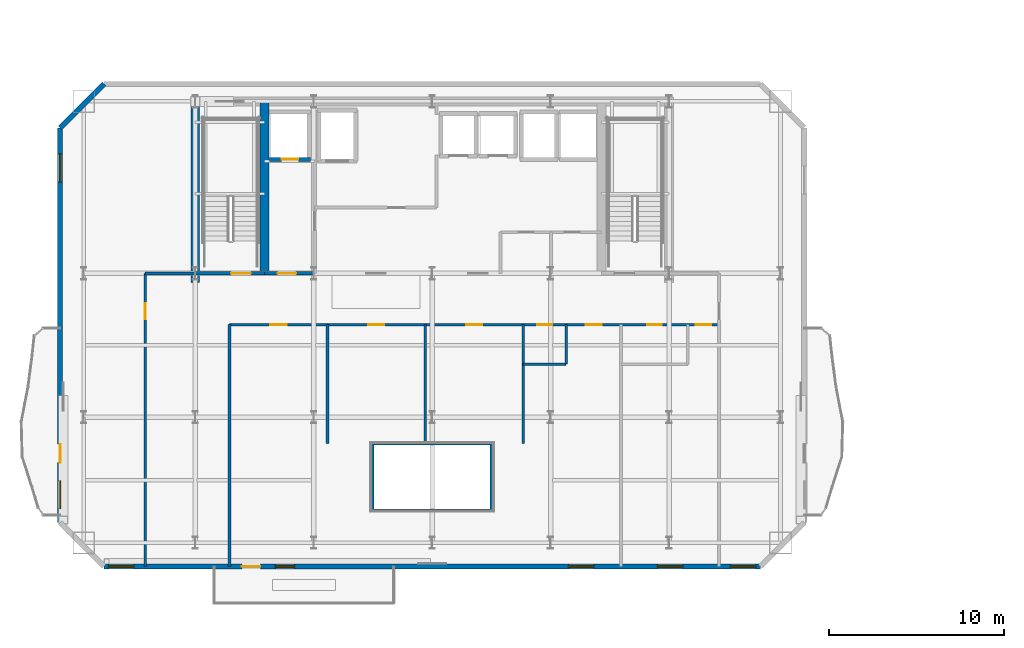
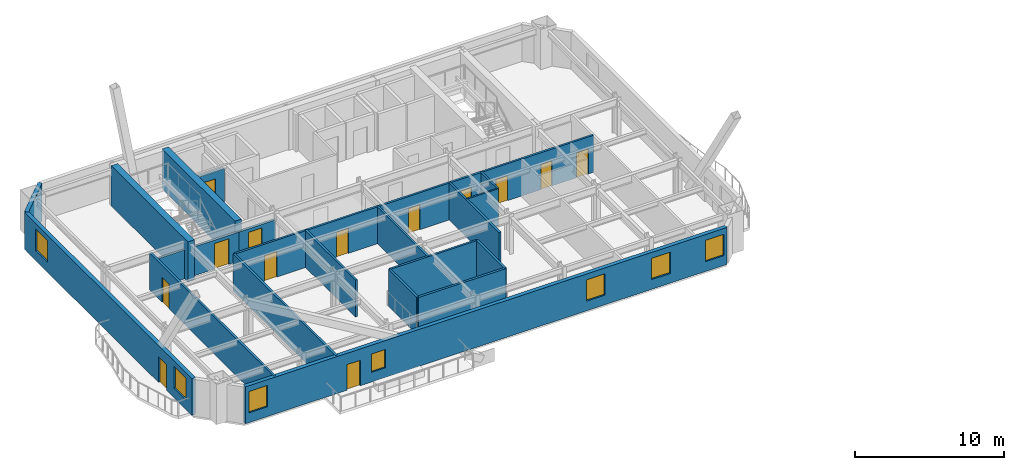
# One storey, part 5 of 13: 21 walls, 13 doors, 7 windows, 20 openings.
"""IFC4 building model written with IfcOpenShell, lengths in metres."""

from ifc_helpers import new_model, si_unit, direction, frame, frame_2d, origin, place, context, subcontext, project, spatial, rectangle, extrude, material, layer, layer_set, type_object, element, fill, save


model = new_model("IFC4")

# Units and contexts
model_context = context("Model", 3, precision=1e-05, world=origin(), true_north=direction((0.0, 1.0)))
body_context = subcontext(model_context, "Body", "Model", "MODEL_VIEW")
ifc_project = project(units=[si_unit("LENGTHUNIT", "METRE"), si_unit("AREAUNIT", "SQUARE_METRE"), si_unit("VOLUMEUNIT", "CUBIC_METRE"), si_unit("PLANEANGLEUNIT", "RADIAN"), si_unit("MASSUNIT", "GRAM", prefix="KILO")], contexts=[model_context])

# Site, building, storey
site_placement = place(None, origin())
site = spatial("IfcSite", under=ifc_project, at=site_placement, CompositionType="ELEMENT")
building_placement = place(site_placement, origin())
building = spatial("IfcBuilding", under=site, at=building_placement, Name="Haevon Station Towers", CompositionType="ELEMENT")
storey_placement = place(building_placement, frame((0.0, 0.0, 146.10009765625)))
storey = spatial("IfcBuildingStorey", under=building, at=storey_placement, Name="L39", CompositionType="ELEMENT", Elevation=146.10009765625)

# Walls
ifc_material_1 = material(Name="Gypsum board on steel stud", Category="steel")
ifc_layer_1 = layer(ifc_material_1, 0.179931640625)
ifc_layer_set_1 = layer_set([ifc_layer_1], Name="Gypsum board on steel stud")
wall_type_1 = type_object("IfcWallType", Name="WL-ACU180", PredefinedType="PARTITIONING", material=ifc_layer_set_1)
wall_1_placement = place(storey_placement, frame((34.10009765625, 24.699951171875, 0.0), z_axis=(0.0, 0.0, 1.0), x_axis=(1.0, 0.0, 0.0)))
element("IfcWall", 1, at=wall_1_placement, inside=storey, type_object=wall_type_1, Name="WL-T1PT-L39-06", PredefinedType="PARTITIONING", context=body_context, shape_type="SweptSolid", body=[
    extrude(rectangle(XDim=6.7998046875, YDim=0.179931640625, at=frame_2d((3.39990234375, 0.0))), origin(), (0.0, 0.0, 1.0), 3.02978515625),
])
wall_2_placement = place(storey_placement, frame((40.89990234375, 24.699951171875, 0.0), z_axis=(0.0, 0.0, 1.0), x_axis=(0.0, 1.0, 0.0)))
element("IfcWall", 2, at=wall_2_placement, inside=storey, type_object=wall_type_1, Name="WL-T1PT-L39-09", PredefinedType="PARTITIONING", context=body_context, shape_type="SweptSolid", body=[
    extrude(rectangle(XDim=3.800048828125, YDim=0.179931640625, at=frame_2d((1.89990234375, 0.0))), origin(), (0.0, 0.0, 1.0), 3.02978515625),
])

# Wall, opening, door
ifc_layer_2 = layer(ifc_material_1, 0.199951171875)
ifc_layer_set_2 = layer_set([ifc_layer_2], Name="Gypsum board on steel stud")
wall_type_2 = type_object("IfcWallType", Name="WL-COR200", PredefinedType="PARTITIONING", material=ifc_layer_set_2)
wall_3_placement = place(storey_placement, frame((24.0, 38.199951171875, 0.0), z_axis=(0.0, 0.0, 1.0), x_axis=(1.0, 0.0, 0.0)))
wall_3 = element("IfcWall", 3, at=wall_3_placement, inside=storey, type_object=wall_type_2, Name="WL-ST-ST1-L39", PredefinedType="PARTITIONING", context=body_context, shape_type="SweptSolid", body=[
    extrude(rectangle(XDim=3.949951171875, YDim=0.199951171875, at=frame_2d((1.97509765625, 0.0))), origin(), (0.0, 0.0, 1.0), 2.3798828125),
])
opening_1_placement = place(wall_3_placement, frame((2.050048828125, 0.0, 0.0)))
opening_1 = element("IfcOpeningElement", 4, at=opening_1_placement, cuts=wall_3, Name="Opening DR-ST-ST1-L39", PredefinedType="OPENING", context=body_context, shape_type="SweptSolid", body=[
    extrude(rectangle(XDim=1.1201171875, YDim=2.10009765625, at=frame_2d((0.56005859375, 1.050048828125))), frame((0.0, 0.10986328125, 0.0), z_axis=(0.0, -1.0, 0.0), x_axis=(1.0, 0.0, 0.0)), (0.0, 0.0, 1.0), 0.219970703125),
])
ifc_material_2 = material(Name="Engineered oak timber", Category="wood")
door_type_1 = type_object("IfcDoorType", Name="DR-ST-1120", OperationType="NOTDEFINED", PredefinedType="DOOR", material=ifc_material_2)
door_1_placement = place(opening_1_placement, origin())
door_1 = element("IfcDoor", 5, at=door_1_placement, inside=storey, type_object=door_type_1, Name="L39 Escape Stair ST1 Fire Door", OperationType="SINGLE_SWING_RIGHT", OverallHeight=2.10009765625, OverallWidth=1.1201171875, PredefinedType="DOOR", context=body_context, shape_type="SweptSolid", body=[
    extrude(rectangle(XDim=1.1201171875, YDim=2.10009765625, at=frame_2d((0.56005859375, 1.050048828125))), frame((0.0, 0.02490234375, 0.0), z_axis=(0.0, -1.0, 0.0), x_axis=(1.0, 0.0, 0.0)), (0.0, 0.0, 1.0), 0.050048828125),
])
fill(opening_1, door_1)

wall_4_placement = place(storey_placement, frame((27.949951171875, 38.199951171875, 0.0), z_axis=(0.0, 0.0, 1.0), x_axis=(1.0, 0.0, 0.0)))
wall_4 = element("IfcWall", 6, at=wall_4_placement, inside=storey, type_object=wall_type_2, Name="WL-T1FFL-L39-S", PredefinedType="PARTITIONING", context=body_context, shape_type="SweptSolid", body=[
    extrude(rectangle(XDim=2.85009765625, YDim=0.199951171875, at=frame_2d((1.425048828125, 0.0))), origin(), (0.0, 0.0, 1.0), 2.3798828125),
])
opening_2_placement = place(wall_4_placement, frame((0.75, 0.0, 0.0)))
opening_2 = element("IfcOpeningElement", 7, at=opening_2_placement, cuts=wall_4, Name="Opening DR-T1FFL-L39-S", PredefinedType="OPENING", context=body_context, shape_type="SweptSolid", body=[
    extrude(rectangle(XDim=1.050048828125, YDim=2.10009765625, at=frame_2d((0.52490234375, 1.050048828125))), frame((0.0, 0.10986328125, 0.0), z_axis=(0.0, -1.0, 0.0), x_axis=(1.0, 0.0, 0.0)), (0.0, 0.0, 1.0), 0.219970703125),
])
door_type_2 = type_object("IfcDoorType", Name="DR-FD60-1050", OperationType="NOTDEFINED", PredefinedType="DOOR", material=ifc_material_2)
door_2_placement = place(opening_2_placement, origin())
door_2 = element("IfcDoor", 8, at=door_2_placement, inside=storey, type_object=door_type_2, Name="L39 Tower 1 Firefighting Lift Lobby Door S", OperationType="SINGLE_SWING_LEFT", OverallHeight=2.10009765625, OverallWidth=1.050048828125, PredefinedType="DOOR", context=body_context, shape_type="SweptSolid", body=[
    extrude(rectangle(XDim=1.050048828125, YDim=2.10009765625, at=frame_2d((0.52490234375, 1.050048828125))), frame((0.0, 0.02490234375, 0.0), z_axis=(0.0, -1.0, 0.0), x_axis=(1.0, 0.0, 0.0)), (0.0, 0.0, 1.0), 0.050048828125),
])
fill(opening_2, door_2)

# Walls
ifc_material_3 = material(Name="Concrete C60/75", Category="concrete")
ifc_layer_3 = layer(ifc_material_3, 0.5)
ifc_layer_set_3 = layer_set([ifc_layer_3], Name="Concrete C60/75")
wall_type_3 = type_object("IfcWallType", Name="WL-CR500", PredefinedType="SHEAR", material=ifc_layer_set_3)
wall_5_placement = place(storey_placement, frame((24.0, 37.679931640625, 0.0), z_axis=(0.0, 0.0, 1.0), x_axis=(0.0, 1.0, 0.0)))
element("IfcWall", 9, at=wall_5_placement, inside=storey, type_object=wall_type_3, Name="WL-T1CR-L39-W", PredefinedType="SHEAR", context=body_context, shape_type="SweptSolid", body=[
    extrude(rectangle(XDim=10.320068359375, YDim=0.5, at=frame_2d((5.16015625, 0.0))), origin(), (0.0, 0.0, 1.0), 3.2998046875),
])
wall_6_placement = place(storey_placement, frame((27.949951171875, 38.199951171875, 0.0), z_axis=(0.0, 0.0, 1.0), x_axis=(0.0, 1.0, 0.0)))
element("IfcWall", 10, at=wall_6_placement, inside=storey, type_object=wall_type_3, Name="WL-T1CR-L39-M1", PredefinedType="SHEAR", context=body_context, shape_type="SweptSolid", body=[
    extrude(rectangle(XDim=9.800048828125, YDim=0.5, at=frame_2d((4.89990234375, 0.0))), origin(), (0.0, 0.0, 1.0), 3.2998046875),
])

# Wall, openings, door, windows
ifc_material_4 = material(Name="Precast concrete C45/55", Category="concrete")
ifc_layer_4 = layer(ifc_material_4, 0.300048828125)
ifc_layer_set_4 = layer_set([ifc_layer_4], Name="Precast concrete C45/55")
wall_type_4 = type_object("IfcWallType", Name="WL-EXT-PIER300", PredefinedType="SOLIDWALL", material=ifc_layer_set_4)
wall_7_placement = place(storey_placement, frame((56.199951171875, 21.5, 0.0), z_axis=(0.0, 0.0, 1.0), x_axis=(-1.0, 0.0, 0.0)))
wall_7 = element("IfcWall", 11, at=wall_7_placement, inside=storey, type_object=wall_type_4, Name="WL-T1-L39-S", PredefinedType="SOLIDWALL", context=body_context, shape_type="SweptSolid", body=[
    extrude(rectangle(XDim=37.39990234375, YDim=0.300048828125, at=frame_2d((18.699951171875, 0.0))), origin(), (0.0, 0.0, 1.0), 3.02978515625),
])
opening_3_placement = place(wall_7_placement, frame((28.493896484375, 0.0, 0.0)))
opening_3 = element("IfcOpeningElement", 12, at=opening_3_placement, cuts=wall_7, Name="Opening DR-T1-PBAND-L39-1", PredefinedType="OPENING", context=body_context, shape_type="SweptSolid", body=[
    extrude(rectangle(XDim=1.050048828125, YDim=2.10009765625, at=frame_2d((0.52490234375, 1.050048828125))), frame((0.0, 0.159912109375, 0.0), z_axis=(0.0, -1.0, 0.0), x_axis=(1.0, 0.0, 0.0)), (0.0, 0.0, 1.0), 0.320068359375),
])
opening_4_placement = place(wall_7_placement, frame((35.699951171875, 0.0, 0.800048828125)))
opening_4 = element("IfcOpeningElement", 13, at=opening_4_placement, cuts=wall_7, Name="Opening WN-P145", PredefinedType="OPENING", context=body_context, shape_type="SweptSolid", body=[
    extrude(rectangle(XDim=1.449951171875, YDim=1.75, at=frame_2d((0.72509765625, 0.875))), frame((0.0, 0.159912109375, 0.0), z_axis=(0.0, -1.0, 0.0), x_axis=(1.0, 0.0, 0.0)), (0.0, 0.0, 1.0), 0.320068359375),
])
opening_5_placement = place(wall_7_placement, frame((0.25, 0.0, 0.800048828125)))
opening_5 = element("IfcOpeningElement", 14, at=opening_5_placement, cuts=wall_7, Name="Opening WN-P145", PredefinedType="OPENING", context=body_context, shape_type="SweptSolid", body=[
    extrude(rectangle(XDim=1.449951171875, YDim=1.75, at=frame_2d((0.72509765625, 0.875))), frame((0.0, 0.159912109375, 0.0), z_axis=(0.0, -1.0, 0.0), x_axis=(1.0, 0.0, 0.0)), (0.0, 0.0, 1.0), 0.320068359375),
])
opening_6_placement = place(wall_7_placement, frame((26.5380859375, 0.0, 0.800048828125)))
opening_6 = element("IfcOpeningElement", 15, at=opening_6_placement, cuts=wall_7, Name="Opening WN-COR110", PredefinedType="OPENING", context=body_context, shape_type="SweptSolid", body=[
    extrude(rectangle(XDim=1.10009765625, YDim=1.5, at=frame_2d((0.550048828125, 0.75))), frame((0.0, 0.159912109375, 0.0), z_axis=(0.0, -1.0, 0.0), x_axis=(1.0, 0.0, 0.0)), (0.0, 0.0, 1.0), 0.320068359375),
])
opening_7_placement = place(wall_7_placement, frame((9.489501953125, 0.0, 0.800048828125)))
opening_7 = element("IfcOpeningElement", 16, at=opening_7_placement, cuts=wall_7, Name="Opening WN-P145", PredefinedType="OPENING", context=body_context, shape_type="SweptSolid", body=[
    extrude(rectangle(XDim=1.449951171875, YDim=1.75, at=frame_2d((0.72509765625, 0.875))), frame((0.0, 0.159912109375, 0.0), z_axis=(0.0, -1.0, 0.0), x_axis=(1.0, 0.0, 0.0)), (0.0, 0.0, 1.0), 0.320068359375),
])
opening_8_placement = place(wall_7_placement, frame((4.4150390625, 0.0, 0.800048828125)))
opening_8 = element("IfcOpeningElement", 17, at=opening_8_placement, cuts=wall_7, Name="Opening WN-P145", PredefinedType="OPENING", context=body_context, shape_type="SweptSolid", body=[
    extrude(rectangle(XDim=1.449951171875, YDim=1.75, at=frame_2d((0.72509765625, 0.875))), frame((0.0, 0.159912109375, 0.0), z_axis=(0.0, -1.0, 0.0), x_axis=(1.0, 0.0, 0.0)), (0.0, 0.0, 1.0), 0.320068359375),
])
ifc_material_5 = material(Name="Thermally broken anodised aluminium and laminated safety glass", Category="aluminium")
door_type_3 = type_object("IfcDoorType", Name="DR-BALC-1050", OperationType="NOTDEFINED", PredefinedType="DOOR", material=ifc_material_5)
door_3_placement = place(opening_3_placement, origin())
door_3 = element("IfcDoor", 18, at=door_3_placement, inside=storey, type_object=door_type_3, Name="Tower 1 L39 Balcony Terrace Door", OperationType="SINGLE_SWING_LEFT", OverallHeight=2.10009765625, OverallWidth=1.050048828125, PredefinedType="DOOR", context=body_context, shape_type="SweptSolid", body=[
    extrude(rectangle(XDim=1.050048828125, YDim=2.10009765625, at=frame_2d((0.52490234375, 1.050048828125))), frame((0.0, 0.02490234375, 0.0), z_axis=(0.0, -1.0, 0.0), x_axis=(1.0, 0.0, 0.0)), (0.0, 0.0, 1.0), 0.050048828125),
])
fill(opening_3, door_3)
ifc_material_6 = material(Name="Low-E triple glazing in thermally broken aluminium", Category="aluminium")
window_type_1 = type_object("IfcWindowType", Name="WN-COR110", PartitioningType="SINGLE_PANEL", PredefinedType="WINDOW", material=ifc_material_6)
window_1_placement = place(opening_6_placement, origin())
window_1 = element("IfcWindow", 19, at=window_1_placement, inside=storey, type_object=window_type_1, Name="WN-T1-L39-S03", OverallHeight=1.5, OverallWidth=1.10009765625, PartitioningType="SINGLE_PANEL", PredefinedType="WINDOW", context=body_context, shape_type="SweptSolid", body=[
    extrude(rectangle(XDim=1.10009765625, YDim=1.5, at=frame_2d((0.550048828125, 0.75))), frame((0.0, 0.030029296875, 0.0), z_axis=(0.0, -1.0, 0.0), x_axis=(1.0, 0.0, 0.0)), (0.0, 0.0, 1.0), 0.06005859375),
])
fill(opening_6, window_1)
window_type_2 = type_object("IfcWindowType", Name="WN-P145", PartitioningType="SINGLE_PANEL", PredefinedType="WINDOW", material=ifc_material_6)
window_2_placement = place(opening_4_placement, origin())
window_2 = element("IfcWindow", 20, at=window_2_placement, inside=storey, type_object=window_type_2, Name="WN-T1-L39-S01", OverallHeight=1.75, OverallWidth=1.449951171875, PartitioningType="SINGLE_PANEL", PredefinedType="WINDOW", context=body_context, shape_type="SweptSolid", body=[
    extrude(rectangle(XDim=1.449951171875, YDim=1.75, at=frame_2d((0.72509765625, 0.875))), frame((0.0, 0.030029296875, 0.0), z_axis=(0.0, -1.0, 0.0), x_axis=(1.0, 0.0, 0.0)), (0.0, 0.0, 1.0), 0.06005859375),
])
fill(opening_4, window_2)
window_3_placement = place(opening_5_placement, origin())
window_3 = element("IfcWindow", 21, at=window_3_placement, inside=storey, type_object=window_type_2, Name="WN-T1-L39-S02", OverallHeight=1.75, OverallWidth=1.449951171875, PartitioningType="SINGLE_PANEL", PredefinedType="WINDOW", context=body_context, shape_type="SweptSolid", body=[
    extrude(rectangle(XDim=1.449951171875, YDim=1.75, at=frame_2d((0.72509765625, 0.875))), frame((0.0, 0.030029296875, 0.0), z_axis=(0.0, -1.0, 0.0), x_axis=(1.0, 0.0, 0.0)), (0.0, 0.0, 1.0), 0.06005859375),
])
fill(opening_5, window_3)
window_4_placement = place(opening_7_placement, origin())
window_4 = element("IfcWindow", 22, at=window_4_placement, inside=storey, type_object=window_type_2, Name="WN-T1-L39-S04", OverallHeight=1.75, OverallWidth=1.449951171875, PartitioningType="SINGLE_PANEL", PredefinedType="WINDOW", context=body_context, shape_type="SweptSolid", body=[
    extrude(rectangle(XDim=1.449951171875, YDim=1.75, at=frame_2d((0.72509765625, 0.875))), frame((0.0, 0.030029296875, 0.0), z_axis=(0.0, -1.0, 0.0), x_axis=(1.0, 0.0, 0.0)), (0.0, 0.0, 1.0), 0.06005859375),
])
fill(opening_7, window_4)
window_5_placement = place(opening_8_placement, origin())
window_5 = element("IfcWindow", 23, at=window_5_placement, inside=storey, type_object=window_type_2, Name="WN-T1-L39-S05", OverallHeight=1.75, OverallWidth=1.449951171875, PartitioningType="SINGLE_PANEL", PredefinedType="WINDOW", context=body_context, shape_type="SweptSolid", body=[
    extrude(rectangle(XDim=1.449951171875, YDim=1.75, at=frame_2d((0.72509765625, 0.875))), frame((0.0, 0.030029296875, 0.0), z_axis=(0.0, -1.0, 0.0), x_axis=(1.0, 0.0, 0.0)), (0.0, 0.0, 1.0), 0.06005859375),
])
fill(opening_8, window_5)

wall_8_placement = place(storey_placement, frame((16.300048828125, 24.0, 0.0), z_axis=(0.0, 0.0, 1.0), x_axis=(0.0, 1.0, 0.0)))
wall_8 = element("IfcWall", 24, at=wall_8_placement, inside=storey, type_object=wall_type_4, Name="WL-T1-L39-W", PredefinedType="SOLIDWALL", context=body_context, shape_type="SweptSolid", body=[
    extrude(rectangle(XDim=22.5, YDim=0.300048828125, at=frame_2d((11.25, 0.0))), origin(), (0.0, 0.0, 1.0), 3.02978515625),
])
opening_9_placement = place(wall_8_placement, frame((3.425048828125, 0.0, 0.0)))
opening_9 = element("IfcOpeningElement", 25, at=opening_9_placement, cuts=wall_8, Name="Opening DR-T1-SCAL-L39-W", PredefinedType="OPENING", context=body_context, shape_type="SweptSolid", body=[
    extrude(rectangle(XDim=1.050048828125, YDim=2.10009765625, at=frame_2d((0.52490234375, 1.050048828125))), frame((0.0, 0.159912109375, 0.0), z_axis=(0.0, -1.0, 0.0), x_axis=(1.0, 0.0, 0.0)), (0.0, 0.0, 1.0), 0.320068359375),
])
opening_10_placement = place(wall_8_placement, frame((0.800048828125, 0.0, 0.800048828125)))
opening_10 = element("IfcOpeningElement", 26, at=opening_10_placement, cuts=wall_8, Name="Opening WN-END160", PredefinedType="OPENING", context=body_context, shape_type="SweptSolid", body=[
    extrude(rectangle(XDim=1.60009765625, YDim=1.800048828125, at=frame_2d((0.800048828125, 0.89990234375))), frame((0.0, 0.159912109375, 0.0), z_axis=(0.0, -1.0, 0.0), x_axis=(1.0, 0.0, 0.0)), (0.0, 0.0, 1.0), 0.320068359375),
])
opening_11_placement = place(wall_8_placement, frame((19.41064453125, 0.0, 0.800048828125)))
opening_11 = element("IfcOpeningElement", 27, at=opening_11_placement, cuts=wall_8, Name="Opening WN-END160", PredefinedType="OPENING", context=body_context, shape_type="SweptSolid", body=[
    extrude(rectangle(XDim=1.60009765625, YDim=1.800048828125, at=frame_2d((0.800048828125, 0.89990234375))), frame((0.0, 0.159912109375, 0.0), z_axis=(0.0, -1.0, 0.0), x_axis=(1.0, 0.0, 0.0)), (0.0, 0.0, 1.0), 0.320068359375),
])
door_4_placement = place(opening_9_placement, origin())
door_4 = element("IfcDoor", 28, at=door_4_placement, inside=storey, type_object=door_type_3, Name="Tower 1 L39 West Scalloped Balcony Door", OperationType="SINGLE_SWING_RIGHT", OverallHeight=2.10009765625, OverallWidth=1.050048828125, PredefinedType="DOOR", context=body_context, shape_type="SweptSolid", body=[
    extrude(rectangle(XDim=1.050048828125, YDim=2.10009765625, at=frame_2d((0.52490234375, 1.050048828125))), frame((0.0, 0.02490234375, 0.0), z_axis=(0.0, -1.0, 0.0), x_axis=(1.0, 0.0, 0.0)), (0.0, 0.0, 1.0), 0.050048828125),
])
fill(opening_9, door_4)
window_type_3 = type_object("IfcWindowType", Name="WN-END160", PartitioningType="SINGLE_PANEL", PredefinedType="WINDOW", material=ifc_material_6)
window_6_placement = place(opening_10_placement, origin())
window_6 = element("IfcWindow", 29, at=window_6_placement, inside=storey, type_object=window_type_3, Name="WN-T1-L39-W01", OverallHeight=1.800048828125, OverallWidth=1.60009765625, PartitioningType="SINGLE_PANEL", PredefinedType="WINDOW", context=body_context, shape_type="SweptSolid", body=[
    extrude(rectangle(XDim=1.60009765625, YDim=1.800048828125, at=frame_2d((0.800048828125, 0.89990234375))), frame((0.0, 0.030029296875, 0.0), z_axis=(0.0, -1.0, 0.0), x_axis=(1.0, 0.0, 0.0)), (0.0, 0.0, 1.0), 0.06005859375),
])
fill(opening_10, window_6)
window_7_placement = place(opening_11_placement, origin())
window_7 = element("IfcWindow", 30, at=window_7_placement, inside=storey, type_object=window_type_3, Name="WN-T1-L39-W02", OverallHeight=1.800048828125, OverallWidth=1.60009765625, PartitioningType="SINGLE_PANEL", PredefinedType="WINDOW", context=body_context, shape_type="SweptSolid", body=[
    extrude(rectangle(XDim=1.60009765625, YDim=1.800048828125, at=frame_2d((0.800048828125, 0.89990234375))), frame((0.0, 0.030029296875, 0.0), z_axis=(0.0, -1.0, 0.0), x_axis=(1.0, 0.0, 0.0)), (0.0, 0.0, 1.0), 0.06005859375),
])
fill(opening_11, window_7)

# Walls
wall_9_placement = place(storey_placement, frame((16.300048828125, 46.5, 0.0), z_axis=(0.0, 0.0, 1.0), x_axis=(0.707106781187, 0.707106781187, 0.0)))
element("IfcWall", 31, at=wall_9_placement, inside=storey, type_object=wall_type_4, Name="WL-T1-L39-NWC", PredefinedType="SOLIDWALL", context=body_context, shape_type="SweptSolid", body=[
    extrude(rectangle(XDim=3.53564453125, YDim=0.300048828125, at=frame_2d((1.767822265625, 0.0))), origin(), (0.0, 0.0, 1.0), 3.02978515625),
])
ifc_layer_5 = layer(ifc_material_1, 0.125)
ifc_layer_set_5 = layer_set([ifc_layer_5], Name="Gypsum board on steel stud")
wall_type_5 = type_object("IfcWallType", Name="WL-PRT125", PredefinedType="PARTITIONING", material=ifc_layer_set_5)
wall_10_placement = place(storey_placement, frame((42.68994140625, 33.030029296875, 0.0), z_axis=(0.0, 0.0, 1.0), x_axis=(1.0, 0.0, 0.0)))
element("IfcWall", 32, at=wall_10_placement, inside=storey, type_object=wall_type_5, Name="WL-T1PT-L39-15", PredefinedType="PARTITIONING", context=body_context, shape_type="SweptSolid", body=[
    extrude(rectangle(XDim=2.449951171875, YDim=0.125, at=frame_2d((1.22509765625, 0.0))), origin(), (0.0, 0.0, 1.0), 3.02978515625),
])
wall_11_placement = place(storey_placement, frame((45.139892578125, 33.030029296875, 0.0), z_axis=(0.0, 0.0, 1.0), x_axis=(0.0, 1.0, 0.0)))
element("IfcWall", 33, at=wall_11_placement, inside=storey, type_object=wall_type_5, Name="WL-T1PT-L39-16", PredefinedType="PARTITIONING", context=body_context, shape_type="SweptSolid", body=[
    extrude(rectangle(XDim=2.25, YDim=0.125, at=frame_2d((1.125, 0.0))), origin(), (0.0, 0.0, 1.0), 3.02978515625),
])
ifc_layer_6 = layer(ifc_material_1, 0.159912109375)
ifc_layer_set_6 = layer_set([ifc_layer_6], Name="Gypsum board on steel stud")
wall_type_6 = type_object("IfcWallType", Name="WL-PRT160", PredefinedType="PARTITIONING", material=ifc_layer_set_6)
wall_12_placement = place(storey_placement, frame((25.949951171875, 21.5, 0.0), z_axis=(0.0, 0.0, 1.0), x_axis=(0.0, 1.0, 0.0)))
element("IfcWall", 34, at=wall_12_placement, inside=storey, type_object=wall_type_6, Name="WL-T1PT-L39-01", PredefinedType="PARTITIONING", context=body_context, shape_type="SweptSolid", body=[
    extrude(rectangle(XDim=13.780029296875, YDim=0.159912109375, at=frame_2d((6.89013671875, 0.0))), origin(), (0.0, 0.0, 1.0), 3.02978515625),
])
wall_13_placement = place(storey_placement, frame((21.14990234375, 38.199951171875, 0.0), z_axis=(0.0, 0.0, 1.0), x_axis=(1.0, 0.0, 0.0)))
element("IfcWall", 35, at=wall_13_placement, inside=storey, type_object=wall_type_6, Name="WL-T1PT-L39-02", PredefinedType="PARTITIONING", context=body_context, shape_type="SweptSolid", body=[
    extrude(rectangle(XDim=2.85009765625, YDim=0.159912109375, at=frame_2d((1.425048828125, 0.0))), origin(), (0.0, 0.0, 1.0), 2.3798828125),
])

# Wall, opening, door
wall_14_placement = place(storey_placement, frame((21.14990234375, 21.5, 0.0), z_axis=(0.0, 0.0, 1.0), x_axis=(0.0, 1.0, 0.0)))
wall_14 = element("IfcWall", 36, at=wall_14_placement, inside=storey, type_object=wall_type_6, Name="WL-T1PT-L39-04", PredefinedType="PARTITIONING", context=body_context, shape_type="SweptSolid", body=[
    extrude(rectangle(XDim=16.699951171875, YDim=0.159912109375, at=frame_2d((8.35009765625, 0.0))), origin(), (0.0, 0.0, 1.0), 3.02978515625),
])
opening_12_placement = place(wall_14_placement, frame((14.10009765625, 0.0, 0.0)))
opening_12 = element("IfcOpeningElement", 37, at=opening_12_placement, cuts=wall_14, Name="Opening DR-WL-T1PT-L39-04-01", PredefinedType="OPENING", context=body_context, shape_type="SweptSolid", body=[
    extrude(rectangle(XDim=0.89990234375, YDim=2.050048828125, at=frame_2d((0.449951171875, 1.02490234375))), frame((0.0, 0.08984375, 0.0), z_axis=(0.0, -1.0, 0.0), x_axis=(1.0, 0.0, 0.0)), (0.0, 0.0, 1.0), 0.179931640625),
])
door_type_4 = type_object("IfcDoorType", Name="DR-INT-900", OperationType="NOTDEFINED", PredefinedType="DOOR", material=ifc_material_2)
door_5_placement = place(opening_12_placement, origin())
door_5 = element("IfcDoor", 38, at=door_5_placement, inside=storey, type_object=door_type_4, Name="L39 Tower 1 Room Door 4-1", OperationType="SINGLE_SWING_RIGHT", OverallHeight=2.050048828125, OverallWidth=0.89990234375, PredefinedType="DOOR", context=body_context, shape_type="SweptSolid", body=[
    extrude(rectangle(XDim=0.89990234375, YDim=2.050048828125, at=frame_2d((0.449951171875, 1.02490234375))), frame((0.0, 0.02490234375, 0.0), z_axis=(0.0, -1.0, 0.0), x_axis=(1.0, 0.0, 0.0)), (0.0, 0.0, 1.0), 0.050048828125),
])
fill(opening_12, door_5)

# Walls
wall_15_placement = place(storey_placement, frame((34.10009765625, 28.5, 0.0), z_axis=(0.0, 0.0, 1.0), x_axis=(1.0, 0.0, 0.0)))
element("IfcWall", 39, at=wall_15_placement, inside=storey, type_object=wall_type_6, Name="WL-T1PT-L39-07", PredefinedType="PARTITIONING", context=body_context, shape_type="SweptSolid", body=[
    extrude(rectangle(XDim=6.7998046875, YDim=0.159912109375, at=frame_2d((3.39990234375, 0.0))), origin(), (0.0, 0.0, 1.0), 3.02978515625),
])
wall_16_placement = place(storey_placement, frame((34.10009765625, 24.699951171875, 0.0), z_axis=(0.0, 0.0, 1.0), x_axis=(0.0, 1.0, 0.0)))
element("IfcWall", 40, at=wall_16_placement, inside=storey, type_object=wall_type_6, Name="WL-T1PT-L39-08", PredefinedType="PARTITIONING", context=body_context, shape_type="SweptSolid", body=[
    extrude(rectangle(XDim=3.800048828125, YDim=0.159912109375, at=frame_2d((1.89990234375, 0.0))), origin(), (0.0, 0.0, 1.0), 3.02978515625),
])
for number, where, z_axis, x_axis, name in (
    (41, (31.530029296875, 28.5, 0.0), (0.0, 0.0, 1.0), (0.0, 1.0, 0.0), "WL-T1PT-L39-10"),
    (42, (37.110107421875, 28.5, 0.0), (0.0, 0.0, 1.0), (0.0, 1.0, 0.0), "WL-T1PT-L39-11"),
    (43, (42.68994140625, 28.5, 0.0), (0.0, 0.0, 1.0), (0.0, 1.0, 0.0), "WL-T1PT-L39-13"),
):
    element("IfcWall", number, at=place(storey_placement, frame(where, z_axis=z_axis, x_axis=x_axis)), inside=storey, type_object=wall_type_6, Name=name, PredefinedType="PARTITIONING", context=body_context, shape_type="SweptSolid", body=[
        extrude(rectangle(XDim=6.780029296875, YDim=0.159912109375, at=frame_2d((3.39013671875, 0.0))), origin(), (0.0, 0.0, 1.0), 3.02978515625),
    ])

# Wall, openings, doors
wall_17_placement = place(storey_placement, frame((25.949951171875, 35.280029296875, 0.0), z_axis=(0.0, 0.0, 1.0), x_axis=(1.0, 0.0, 0.0)))
wall_17 = element("IfcWall", 44, at=wall_17_placement, inside=storey, type_object=wall_type_6, Name="WL-T1PT-L39-20", PredefinedType="PARTITIONING", context=body_context, shape_type="SweptSolid", body=[
    extrude(rectangle(XDim=27.900146484375, YDim=0.159912109375, at=frame_2d((13.9501953125, 0.0))), origin(), (0.0, 0.0, 1.0), 3.02978515625),
])
opening_13_placement = place(wall_17_placement, frame((2.31494140625, 0.0, 0.0)))
opening_13 = element("IfcOpeningElement", 45, at=opening_13_placement, cuts=wall_17, Name="Opening DR-WL-T1PT-L39-20-01", PredefinedType="OPENING", context=body_context, shape_type="SweptSolid", body=[
    extrude(rectangle(XDim=0.949951171875, YDim=2.10009765625, at=frame_2d((0.47509765625, 1.050048828125))), frame((0.0, 0.08984375, 0.0), z_axis=(0.0, -1.0, 0.0), x_axis=(1.0, 0.0, 0.0)), (0.0, 0.0, 1.0), 0.179931640625),
])
opening_14_placement = place(wall_17_placement, frame((7.919921875, 0.0, 0.0)))
opening_14 = element("IfcOpeningElement", 46, at=opening_14_placement, cuts=wall_17, Name="Opening DR-WL-T1PT-L39-20-02", PredefinedType="OPENING", context=body_context, shape_type="SweptSolid", body=[
    extrude(rectangle(XDim=0.89990234375, YDim=2.050048828125, at=frame_2d((0.449951171875, 1.02490234375))), frame((0.0, 0.08984375, 0.0), z_axis=(0.0, -1.0, 0.0), x_axis=(1.0, 0.0, 0.0)), (0.0, 0.0, 1.0), 0.179931640625),
])
opening_15_placement = place(wall_17_placement, frame((13.5, 0.0, 0.0)))
opening_15 = element("IfcOpeningElement", 47, at=opening_15_placement, cuts=wall_17, Name="Opening DR-WL-T1PT-L39-20-03", PredefinedType="OPENING", context=body_context, shape_type="SweptSolid", body=[
    extrude(rectangle(XDim=0.89990234375, YDim=2.050048828125, at=frame_2d((0.449951171875, 1.02490234375))), frame((0.0, 0.08984375, 0.0), z_axis=(0.0, -1.0, 0.0), x_axis=(1.0, 0.0, 0.0)), (0.0, 0.0, 1.0), 0.179931640625),
])
opening_16_placement = place(wall_17_placement, frame((17.5400390625, 0.0, 0.0)))
opening_16 = element("IfcOpeningElement", 48, at=opening_16_placement, cuts=wall_17, Name="Opening DR-WL-T1PT-L39-20-04", PredefinedType="OPENING", context=body_context, shape_type="SweptSolid", body=[
    extrude(rectangle(XDim=0.85009765625, YDim=2.050048828125, at=frame_2d((0.425048828125, 1.02490234375))), frame((0.0, 0.08984375, 0.0), z_axis=(0.0, -1.0, 0.0), x_axis=(1.0, 0.0, 0.0)), (0.0, 0.0, 1.0), 0.179931640625),
])
opening_17_placement = place(wall_17_placement, frame((20.304931640625, 0.0, 0.0)))
opening_17 = element("IfcOpeningElement", 49, at=opening_17_placement, cuts=wall_17, Name="Opening DR-WL-T1PT-L39-20-05", PredefinedType="OPENING", context=body_context, shape_type="SweptSolid", body=[
    extrude(rectangle(XDim=0.89990234375, YDim=2.050048828125, at=frame_2d((0.449951171875, 1.02490234375))), frame((0.0, 0.08984375, 0.0), z_axis=(0.0, -1.0, 0.0), x_axis=(1.0, 0.0, 0.0)), (0.0, 0.0, 1.0), 0.179931640625),
])
opening_18_placement = place(wall_17_placement, frame((23.794921875, 0.0, 0.0)))
opening_18 = element("IfcOpeningElement", 50, at=opening_18_placement, cuts=wall_17, Name="Opening DR-WL-T1PT-L39-20-06", PredefinedType="OPENING", context=body_context, shape_type="SweptSolid", body=[
    extrude(rectangle(XDim=0.85009765625, YDim=2.050048828125, at=frame_2d((0.425048828125, 1.02490234375))), frame((0.0, 0.08984375, 0.0), z_axis=(0.0, -1.0, 0.0), x_axis=(1.0, 0.0, 0.0)), (0.0, 0.0, 1.0), 0.179931640625),
])
opening_19_placement = place(wall_17_placement, frame((26.56005859375, 0.0, 0.0)))
opening_19 = element("IfcOpeningElement", 51, at=opening_19_placement, cuts=wall_17, Name="Opening DR-WL-T1PT-L39-20-07", PredefinedType="OPENING", context=body_context, shape_type="SweptSolid", body=[
    extrude(rectangle(XDim=0.89990234375, YDim=2.050048828125, at=frame_2d((0.449951171875, 1.02490234375))), frame((0.0, 0.08984375, 0.0), z_axis=(0.0, -1.0, 0.0), x_axis=(1.0, 0.0, 0.0)), (0.0, 0.0, 1.0), 0.179931640625),
])
door_type_5 = type_object("IfcDoorType", Name="DR-FD30-850", OperationType="NOTDEFINED", PredefinedType="DOOR", material=ifc_material_2)
door_6_placement = place(opening_16_placement, origin())
door_6 = element("IfcDoor", 52, at=door_6_placement, inside=storey, type_object=door_type_5, Name="L39 Tower 1 Room Door 20-4", OperationType="SINGLE_SWING_LEFT", OverallHeight=2.050048828125, OverallWidth=0.85009765625, PredefinedType="DOOR", context=body_context, shape_type="SweptSolid", body=[
    extrude(rectangle(XDim=0.85009765625, YDim=2.050048828125, at=frame_2d((0.425048828125, 1.02490234375))), frame((0.0, 0.02490234375, 0.0), z_axis=(0.0, -1.0, 0.0), x_axis=(1.0, 0.0, 0.0)), (0.0, 0.0, 1.0), 0.050048828125),
])
fill(opening_16, door_6)
door_7_placement = place(opening_18_placement, origin())
door_7 = element("IfcDoor", 53, at=door_7_placement, inside=storey, type_object=door_type_5, Name="L39 Tower 1 Room Door 20-6", OperationType="SINGLE_SWING_LEFT", OverallHeight=2.050048828125, OverallWidth=0.85009765625, PredefinedType="DOOR", context=body_context, shape_type="SweptSolid", body=[
    extrude(rectangle(XDim=0.85009765625, YDim=2.050048828125, at=frame_2d((0.425048828125, 1.02490234375))), frame((0.0, 0.02490234375, 0.0), z_axis=(0.0, -1.0, 0.0), x_axis=(1.0, 0.0, 0.0)), (0.0, 0.0, 1.0), 0.050048828125),
])
fill(opening_18, door_7)
door_type_6 = type_object("IfcDoorType", Name="DR-FD30-950", OperationType="NOTDEFINED", PredefinedType="DOOR", material=ifc_material_2)
door_8_placement = place(opening_13_placement, origin())
door_8 = element("IfcDoor", 54, at=door_8_placement, inside=storey, type_object=door_type_6, Name="L39 Tower 1 Room Door 20-1", OperationType="SINGLE_SWING_RIGHT", OverallHeight=2.10009765625, OverallWidth=0.949951171875, PredefinedType="DOOR", context=body_context, shape_type="SweptSolid", body=[
    extrude(rectangle(XDim=0.949951171875, YDim=2.10009765625, at=frame_2d((0.47509765625, 1.050048828125))), frame((0.0, 0.02490234375, 0.0), z_axis=(0.0, -1.0, 0.0), x_axis=(1.0, 0.0, 0.0)), (0.0, 0.0, 1.0), 0.050048828125),
])
fill(opening_13, door_8)
door_9_placement = place(opening_14_placement, origin())
door_9 = element("IfcDoor", 55, at=door_9_placement, inside=storey, type_object=door_type_4, Name="L39 Tower 1 Room Door 20-2", OperationType="SINGLE_SWING_LEFT", OverallHeight=2.050048828125, OverallWidth=0.89990234375, PredefinedType="DOOR", context=body_context, shape_type="SweptSolid", body=[
    extrude(rectangle(XDim=0.89990234375, YDim=2.050048828125, at=frame_2d((0.449951171875, 1.02490234375))), frame((0.0, 0.02490234375, 0.0), z_axis=(0.0, -1.0, 0.0), x_axis=(1.0, 0.0, 0.0)), (0.0, 0.0, 1.0), 0.050048828125),
])
fill(opening_14, door_9)
door_10_placement = place(opening_15_placement, origin())
door_10 = element("IfcDoor", 56, at=door_10_placement, inside=storey, type_object=door_type_4, Name="L39 Tower 1 Room Door 20-3", OperationType="SINGLE_SWING_RIGHT", OverallHeight=2.050048828125, OverallWidth=0.89990234375, PredefinedType="DOOR", context=body_context, shape_type="SweptSolid", body=[
    extrude(rectangle(XDim=0.89990234375, YDim=2.050048828125, at=frame_2d((0.449951171875, 1.02490234375))), frame((0.0, 0.02490234375, 0.0), z_axis=(0.0, -1.0, 0.0), x_axis=(1.0, 0.0, 0.0)), (0.0, 0.0, 1.0), 0.050048828125),
])
fill(opening_15, door_10)
door_11_placement = place(opening_17_placement, origin())
door_11 = element("IfcDoor", 57, at=door_11_placement, inside=storey, type_object=door_type_4, Name="L39 Tower 1 Room Door 20-5", OperationType="SINGLE_SWING_RIGHT", OverallHeight=2.050048828125, OverallWidth=0.89990234375, PredefinedType="DOOR", context=body_context, shape_type="SweptSolid", body=[
    extrude(rectangle(XDim=0.89990234375, YDim=2.050048828125, at=frame_2d((0.449951171875, 1.02490234375))), frame((0.0, 0.02490234375, 0.0), z_axis=(0.0, -1.0, 0.0), x_axis=(1.0, 0.0, 0.0)), (0.0, 0.0, 1.0), 0.050048828125),
])
fill(opening_17, door_11)
door_12_placement = place(opening_19_placement, origin())
door_12 = element("IfcDoor", 58, at=door_12_placement, inside=storey, type_object=door_type_4, Name="L39 Tower 1 Room Door 20-7", OperationType="SINGLE_SWING_RIGHT", OverallHeight=2.050048828125, OverallWidth=0.89990234375, PredefinedType="DOOR", context=body_context, shape_type="SweptSolid", body=[
    extrude(rectangle(XDim=0.89990234375, YDim=2.050048828125, at=frame_2d((0.449951171875, 1.02490234375))), frame((0.0, 0.02490234375, 0.0), z_axis=(0.0, -1.0, 0.0), x_axis=(1.0, 0.0, 0.0)), (0.0, 0.0, 1.0), 0.050048828125),
])
fill(opening_19, door_12)

# Wall, opening, door
ifc_material_7 = material(Name="Concrete C40/50", Category="concrete")
ifc_layer_7 = layer(ifc_material_7, 0.239990234375)
ifc_layer_set_7 = layer_set([ifc_layer_7], Name="Concrete C40/50")
wall_type_7 = type_object("IfcWallType", Name="WL-SHF240", PredefinedType="PARTITIONING", material=ifc_layer_set_7)
wall_18_placement = place(storey_placement, frame((28.219970703125, 44.699951171875, 0.0), z_axis=(0.0, 0.0, 1.0), x_axis=(1.0, 0.0, 0.0)))
wall_18 = element("IfcWall", 59, at=wall_18_placement, inside=storey, type_object=wall_type_7, Name="WL-SHF-FL1-L39", PredefinedType="PARTITIONING", context=body_context, shape_type="SweptSolid", body=[
    extrude(rectangle(XDim=2.360107421875, YDim=0.239990234375, at=frame_2d((1.18017578125, 0.0))), origin(), (0.0, 0.0, 1.0), 2.72998046875),
])
opening_20_placement = place(wall_18_placement, frame((0.705078125, 0.0, 0.0)))
opening_20 = element("IfcOpeningElement", 60, at=opening_20_placement, cuts=wall_18, Name="Opening LD-FL1-L39", PredefinedType="OPENING", context=body_context, shape_type="SweptSolid", body=[
    extrude(rectangle(XDim=0.949951171875, YDim=2.14990234375, at=frame_2d((0.47509765625, 1.074951171875))), frame((0.0, 0.1298828125, 0.0), z_axis=(0.0, -1.0, 0.0), x_axis=(1.0, 0.0, 0.0)), (0.0, 0.0, 1.0), 0.260009765625),
])
ifc_material_8 = material(Name="Stainless steel and rated core", Category="steel")
door_type_7 = type_object("IfcDoorType", Name="LD-FL950", OperationType="SLIDING_TO_LEFT", PredefinedType="DOOR", material=ifc_material_8)
door_13_placement = place(opening_20_placement, origin())
door_13 = element("IfcDoor", 61, at=door_13_placement, inside=storey, type_object=door_type_7, Name="L39 Lift FL1 Sliding Landing Door", OperationType="SLIDING_TO_LEFT", OverallHeight=2.14990234375, OverallWidth=0.949951171875, PredefinedType="DOOR", context=body_context, shape_type="SweptSolid", body=[
    extrude(rectangle(XDim=0.949951171875, YDim=2.14990234375, at=frame_2d((0.47509765625, 1.074951171875))), frame((0.0, 0.02490234375, 0.0), z_axis=(0.0, -1.0, 0.0), x_axis=(1.0, 0.0, 0.0)), (0.0, 0.0, 1.0), 0.050048828125),
])
fill(opening_20, door_13)

save(model, "model.ifc")
